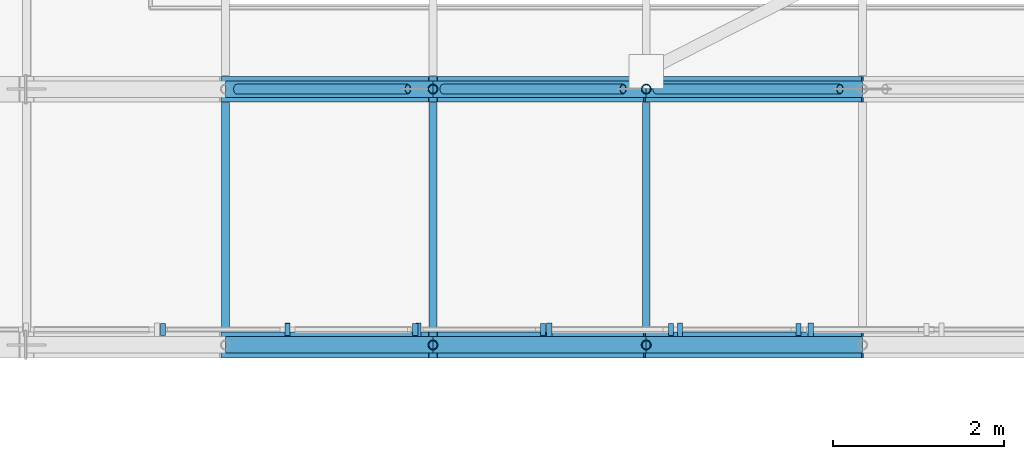
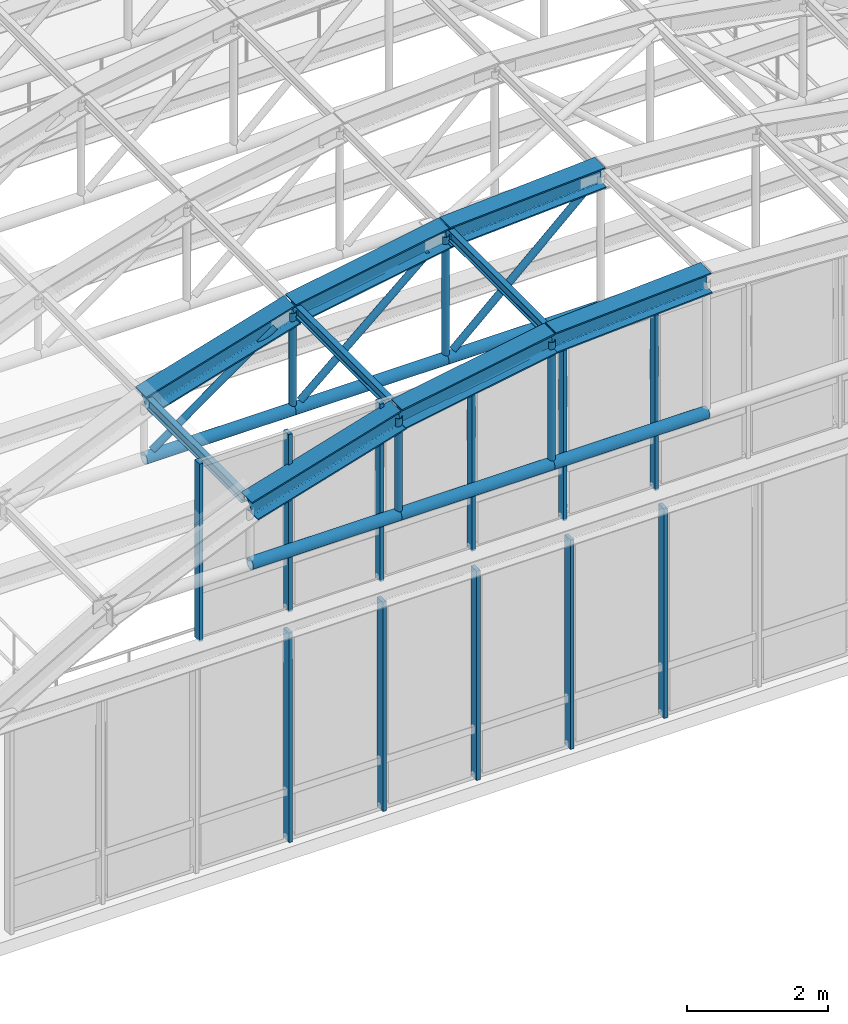
# One storey, part 51 of 148: 24 members, 9 beams, 2 elements without a shape of their own.
"""IFC4 building model written with IfcOpenShell, lengths in metres."""

from ifc_helpers import new_model, si_unit, direction, frame, origin, origin_2d, place, context, subcontext, project, spatial, rectangle, hollow_circle, i_section, extrude, material, layer, layer_set, material_profile, profile_set, type_object, element, aggregate, save


model = new_model("IFC4")

# Units and contexts
model_context = context("Model", 3, precision=1e-05, world=origin(), true_north=direction((0.0, 1.0)))
body_context = subcontext(model_context, "Body", "Model", "MODEL_VIEW")
ifc_project = project(units=[si_unit("LENGTHUNIT", "METRE"), si_unit("AREAUNIT", "SQUARE_METRE"), si_unit("VOLUMEUNIT", "CUBIC_METRE"), si_unit("PLANEANGLEUNIT", "RADIAN"), si_unit("MASSUNIT", "GRAM", prefix="KILO"), si_unit("THERMODYNAMICTEMPERATUREUNIT", "KELVIN"), si_unit("POWERUNIT", "WATT")], contexts=[model_context])

# Site, building, storey
site_placement = place(None, origin())
site = spatial("IfcSite", under=ifc_project, at=site_placement, CompositionType="ELEMENT")
building_placement = place(site_placement, origin())
building = spatial("IfcBuilding", under=site, at=building_placement, Name="Solvatero Civic Police Headquarters", CompositionType="ELEMENT")
storey_placement = place(building_placement, frame((0.0, 0.0, 5.10009765625)))
storey = spatial("IfcBuildingStorey", under=building, at=storey_placement, Name="L01", CompositionType="ELEMENT", Elevation=5.10009765625)

# Beams
ifc_material_1 = material(Name="Steel S355", Category="steel")
ifc_material_profile_1 = material_profile(ifc_material_1, i_section(OverallWidth=0.300048828125, OverallDepth=0.360107421875, WebThickness=0.012451171875, FlangeThickness=0.0224609375, FilletRadius=0.027099609375, at=origin_2d()), Name="HEB 360")
ifc_profile_set_1 = profile_set([ifc_material_profile_1], Name="Steel S355")
beam_type_1 = type_object("IfcBeamType", Name="BM-ST-HEB360", PredefinedType="BEAM", material=ifc_profile_set_1)
for number, where, z_axis, x_axis, name in (
    (1, (69.330078125, 41.5, 6.125), (0.957813056997, 0.0, 0.287391975958), (0.0, 1.0, 0.0), "VLT2 Tied-Arch Vault Top Chord F1.3"),
    (2, (71.762939453125, 41.5, 6.86474609375), (0.984749672323, 0.0, 0.173977248112), (0.0, 1.0, 0.0), "VLT2 Tied-Arch Vault Top Chord F1.4"),
):
    element("IfcBeam", number, at=place(storey_placement, frame(where, z_axis=z_axis, x_axis=x_axis)), inside=storey, type_object=beam_type_1, Name=name, PredefinedType="BEAM", context=body_context, shape_type="SweptSolid", body=[
        extrude(i_section(OverallWidth=0.300048828125, OverallDepth=0.360107421875, WebThickness=0.012451171875, FlangeThickness=0.0224609375, FilletRadius=0.027099609375, at=origin_2d()), origin(), (0.0, 0.0, 1.0), 2.5400390625),
    ])
beam_1_placement = place(storey_placement, frame((74.26416015625, 41.5, 7.311279296875), z_axis=(0.9983024287, 0.0, 0.058243118494), x_axis=(0.0, 1.0, 0.0)))
element("IfcBeam", 3, at=beam_1_placement, inside=storey, type_object=beam_type_1, Name="VLT2 Tied-Arch Vault Top Chord F1.5", PredefinedType="BEAM", context=body_context, shape_type="SweptSolid", body=[
    extrude(i_section(OverallWidth=0.300048828125, OverallDepth=0.360107421875, WebThickness=0.012451171875, FlangeThickness=0.0224609375, FilletRadius=0.027099609375, at=origin_2d()), origin(), (0.0, 0.0, 1.0), 2.540283203125),
])
for number, where, z_axis, x_axis, name in (
    (4, (69.330078125, 44.5, 6.125), (0.957813056997, 0.0, 0.287391975958), (0.0, 1.0, 0.0), "VLT2 Tied-Arch Vault Top Chord F2.3"),
    (5, (71.762939453125, 44.5, 6.86474609375), (0.984749672323, 0.0, 0.173977248112), (0.0, 1.0, 0.0), "VLT2 Tied-Arch Vault Top Chord F2.4"),
):
    element("IfcBeam", number, at=place(storey_placement, frame(where, z_axis=z_axis, x_axis=x_axis)), inside=storey, type_object=beam_type_1, Name=name, PredefinedType="BEAM", context=body_context, shape_type="SweptSolid", body=[
        extrude(i_section(OverallWidth=0.300048828125, OverallDepth=0.360107421875, WebThickness=0.012451171875, FlangeThickness=0.0224609375, FilletRadius=0.027099609375, at=origin_2d()), origin(), (0.0, 0.0, 1.0), 2.5400390625),
    ])
beam_2_placement = place(storey_placement, frame((74.26416015625, 44.5, 7.311279296875), z_axis=(0.9983024287, 0.0, 0.058243118494), x_axis=(0.0, 1.0, 0.0)))
element("IfcBeam", 6, at=beam_2_placement, inside=storey, type_object=beam_type_1, Name="VLT2 Tied-Arch Vault Top Chord F2.5", PredefinedType="BEAM", context=body_context, shape_type="SweptSolid", body=[
    extrude(i_section(OverallWidth=0.300048828125, OverallDepth=0.360107421875, WebThickness=0.012451171875, FlangeThickness=0.0224609375, FilletRadius=0.027099609375, at=origin_2d()), origin(), (0.0, 0.0, 1.0), 2.540283203125),
])
ifc_material_profile_2 = material_profile(ifc_material_1, i_section(OverallWidth=0.091064453125, OverallDepth=0.179931640625, WebThickness=0.00537109375, FlangeThickness=0.008056640625, FilletRadius=0.009033203125, at=origin_2d()), Name="IPE 180")
ifc_profile_set_2 = profile_set([ifc_material_profile_2], Name="Steel S355")
beam_type_2 = type_object("IfcBeamType", Name="BM-ST-IPE180", PredefinedType="JOIST", material=ifc_profile_set_2)
for number, where, z_axis, x_axis, name in (
    (7, (69.330078125, 41.657958984375, 6.19091796875), (0.0, 1.0, 0.0), (-1.0, 0.0, 0.0), "VLT2 Vault Roof Purlin B1.2"),
    (8, (71.762939453125, 41.657958984375, 6.927978515625), (0.0, 1.0, 0.0), (-1.0, 0.0, 0.0), "VLT2 Vault Roof Purlin B1.3"),
    (9, (74.26416015625, 41.657958984375, 7.37451171875), (0.0, 1.0, 0.0), (-1.0, 0.0, 0.0), "VLT2 Vault Roof Purlin B1.4"),
):
    element("IfcBeam", number, at=place(storey_placement, frame(where, z_axis=z_axis, x_axis=x_axis)), inside=storey, type_object=beam_type_2, Name=name, PredefinedType="JOIST", context=body_context, shape_type="SweptSolid", body=[
        extrude(i_section(OverallWidth=0.091064453125, OverallDepth=0.179931640625, WebThickness=0.00537109375, FlangeThickness=0.008056640625, FilletRadius=0.009033203125, at=origin_2d()), origin(), (0.0, 0.0, 1.0), 2.68408203125),
    ])

# Curtain wall, members
ifc_material_2 = material(Name="Anodized Bronze Aluminium", Category="aluminium")
ifc_layer_1 = layer(ifc_material_2, 0.179931640625)
ifc_layer_set_1 = layer_set([ifc_layer_1], Name="Anodized Bronze Aluminium")
curtain_wall_type_1 = type_object("IfcCurtainWallType", Name="CW-VLT-TYMP", PredefinedType="USERDEFINED", material=ifc_layer_set_1)
curtain_wall_1_placement = place(storey_placement, origin())
curtain_wall_1 = element("IfcCurtainWall", 10, at=curtain_wall_1_placement, inside=storey, type_object=curtain_wall_type_1, Name="Curtain Wall CW-R2-L01-VLT2-S", ObjectType="UNITISED", PredefinedType="USERDEFINED")
ifc_material_profile_3 = material_profile(ifc_material_2, rectangle(XDim=0.06005859375, YDim=0.139892578125, at=origin_2d()), Name="ALU MULLION 60x140")
ifc_profile_set_3 = profile_set([ifc_material_profile_3], Name="Anodized Bronze Aluminium")
member_type_1 = type_object("IfcMemberType", Name="CWM-160x65", PredefinedType="MULLION", material=ifc_profile_set_3)
member_1_placement = place(storey_placement, frame((68.60009765625, 41.679931640625, 3.97998046875), z_axis=(0.0, 0.0, 1.0), x_axis=(1.0, 0.0, 0.0)))
member_1 = element("IfcMember", 11, at=member_1_placement, type_object=member_type_1, Name="CW-R2-L01-VLT2-S Mullion 1", PredefinedType="MULLION", context=body_context, shape_type="SweptSolid", body=[
    extrude(rectangle(XDim=0.06005859375, YDim=0.139892578125, at=origin_2d()), origin(), (0.0, 0.0, 1.0), 3.06982421875),
])
member_2_placement = place(storey_placement, frame((70.05810546875, 41.679931640625, 3.97998046875), z_axis=(0.0, 0.0, 1.0), x_axis=(1.0, 0.0, 0.0)))
member_2 = element("IfcMember", 12, at=member_2_placement, type_object=member_type_1, Name="CW-R2-L01-VLT2-S Mullion 2", PredefinedType="MULLION", context=body_context, shape_type="SweptSolid", body=[
    extrude(rectangle(XDim=0.06005859375, YDim=0.139892578125, at=origin_2d()), origin(), (0.0, 0.0, 1.0), 3.06982421875),
])
member_3_placement = place(storey_placement, frame((71.556396484375, 41.679931640625, 3.97998046875), z_axis=(0.0, 0.0, 1.0), x_axis=(1.0, 0.0, 0.0)))
member_3 = element("IfcMember", 13, at=member_3_placement, type_object=member_type_1, Name="CW-R2-L01-VLT2-S Mullion 3", PredefinedType="MULLION", context=body_context, shape_type="SweptSolid", body=[
    extrude(rectangle(XDim=0.06005859375, YDim=0.139892578125, at=origin_2d()), origin(), (0.0, 0.0, 1.0), 3.06982421875),
])
member_4_placement = place(storey_placement, frame((73.054443359375, 41.679931640625, 3.97998046875), z_axis=(0.0, 0.0, 1.0), x_axis=(1.0, 0.0, 0.0)))
member_4 = element("IfcMember", 14, at=member_4_placement, type_object=member_type_1, Name="CW-R2-L01-VLT2-S Mullion 4", PredefinedType="MULLION", context=body_context, shape_type="SweptSolid", body=[
    extrude(rectangle(XDim=0.06005859375, YDim=0.139892578125, at=origin_2d()), origin(), (0.0, 0.0, 1.0), 3.06982421875),
])
member_5_placement = place(storey_placement, frame((74.552734375, 41.679931640625, 3.97998046875), z_axis=(0.0, 0.0, 1.0), x_axis=(1.0, 0.0, 0.0)))
member_5 = element("IfcMember", 15, at=member_5_placement, type_object=member_type_1, Name="CW-R2-L01-VLT2-S Mullion 5", PredefinedType="MULLION", context=body_context, shape_type="SweptSolid", body=[
    extrude(rectangle(XDim=0.06005859375, YDim=0.139892578125, at=origin_2d()), origin(), (0.0, 0.0, 1.0), 3.06982421875),
])
member_6_placement = place(storey_placement, frame((76.05078125, 41.679931640625, 3.97998046875), z_axis=(0.0, 0.0, 1.0), x_axis=(1.0, 0.0, 0.0)))
member_6 = element("IfcMember", 16, at=member_6_placement, type_object=member_type_1, Name="CW-R2-L01-VLT2-S Mullion 6", PredefinedType="MULLION", context=body_context, shape_type="SweptSolid", body=[
    extrude(rectangle(XDim=0.06005859375, YDim=0.139892578125, at=origin_2d()), origin(), (0.0, 0.0, 1.0), 3.06982421875),
])
aggregate(curtain_wall_1, [member_1, member_2, member_3, member_4, member_5, member_6])

ifc_layer_2 = layer(ifc_material_2, 0.179931640625)
ifc_layer_set_2 = layer_set([ifc_layer_2], Name="Anodized Bronze Aluminium")
curtain_wall_type_2 = type_object("IfcCurtainWallType", Name="CW-HAL-GLZ", PredefinedType="USERDEFINED", material=ifc_layer_set_2)
curtain_wall_2_placement = place(storey_placement, origin())
curtain_wall_2 = element("IfcCurtainWall", 17, at=curtain_wall_2_placement, inside=storey, type_object=curtain_wall_type_2, Name="Curtain Wall CW-R2-L01-V2-S", ObjectType="UNITISED", PredefinedType="USERDEFINED")
ifc_material_profile_4 = material_profile(ifc_material_2, rectangle(XDim=0.06005859375, YDim=0.159912109375, at=origin_2d()), Name="ALU MULLION 60x160")
ifc_profile_set_4 = profile_set([ifc_material_profile_4], Name="Anodized Bronze Aluminium")
member_type_2 = type_object("IfcMemberType", Name="CWM-180x70", PredefinedType="MULLION", material=ifc_profile_set_4)
member_7_placement = place(storey_placement, frame((70.06005859375, 41.679931640625, 0.0), z_axis=(0.0, 0.0, 1.0), x_axis=(1.0, 0.0, 0.0)))
member_7 = element("IfcMember", 18, at=member_7_placement, type_object=member_type_2, Name="CW-R2-L01-V2-S Mullion 4", PredefinedType="MULLION", context=body_context, shape_type="SweptSolid", body=[
    extrude(rectangle(XDim=0.06005859375, YDim=0.159912109375, at=origin_2d()), origin(), (0.0, 0.0, 1.0), 3.619873046875),
])
member_8_placement = place(storey_placement, frame((71.59326171875, 41.679931640625, 0.0), z_axis=(0.0, 0.0, 1.0), x_axis=(1.0, 0.0, 0.0)))
member_8 = element("IfcMember", 19, at=member_8_placement, type_object=member_type_2, Name="CW-R2-L01-V2-S Mullion 5", PredefinedType="MULLION", context=body_context, shape_type="SweptSolid", body=[
    extrude(rectangle(XDim=0.06005859375, YDim=0.159912109375, at=origin_2d()), origin(), (0.0, 0.0, 1.0), 3.619873046875),
])
member_9_placement = place(storey_placement, frame((73.126708984375, 41.679931640625, 0.0), z_axis=(0.0, 0.0, 1.0), x_axis=(1.0, 0.0, 0.0)))
member_9 = element("IfcMember", 20, at=member_9_placement, type_object=member_type_2, Name="CW-R2-L01-V2-S Mullion 6", PredefinedType="MULLION", context=body_context, shape_type="SweptSolid", body=[
    extrude(rectangle(XDim=0.06005859375, YDim=0.159912109375, at=origin_2d()), origin(), (0.0, 0.0, 1.0), 3.619873046875),
])
member_10_placement = place(storey_placement, frame((74.659912109375, 41.679931640625, 0.0), z_axis=(0.0, 0.0, 1.0), x_axis=(1.0, 0.0, 0.0)))
member_10 = element("IfcMember", 21, at=member_10_placement, type_object=member_type_2, Name="CW-R2-L01-V2-S Mullion 7", PredefinedType="MULLION", context=body_context, shape_type="SweptSolid", body=[
    extrude(rectangle(XDim=0.06005859375, YDim=0.159912109375, at=origin_2d()), origin(), (0.0, 0.0, 1.0), 3.619873046875),
])
member_11_placement = place(storey_placement, frame((76.193359375, 41.679931640625, 0.0), z_axis=(0.0, 0.0, 1.0), x_axis=(1.0, 0.0, 0.0)))
member_11 = element("IfcMember", 22, at=member_11_placement, type_object=member_type_2, Name="CW-R2-L01-V2-S Mullion 8", PredefinedType="MULLION", context=body_context, shape_type="SweptSolid", body=[
    extrude(rectangle(XDim=0.06005859375, YDim=0.159912109375, at=origin_2d()), origin(), (0.0, 0.0, 1.0), 3.619873046875),
])
aggregate(curtain_wall_2, [member_7, member_8, member_9, member_10, member_11])

# Members
ifc_material_profile_5 = material_profile(ifc_material_1, hollow_circle(Radius=0.05712890625, WallThickness=0.008056640625, at=origin_2d()), Name="CHS 114.3x8.0")
ifc_profile_set_5 = profile_set([ifc_material_profile_5], Name="Steel S355")
member_type_3 = type_object("IfcMemberType", Name="MB-HNG-CHS114", PredefinedType="STRUT", material=ifc_profile_set_5)
member_12_placement = place(storey_placement, frame((71.762939453125, 41.5, 5.17626953125), z_axis=(0.0, 0.0, 1.0), x_axis=(1.0, 0.0, 0.0)))
element("IfcMember", 23, at=member_12_placement, inside=storey, type_object=member_type_3, Name="VLT2 Vault Vertical Hanger F1.3", PredefinedType="STRUT", context=body_context, shape_type="SweptSolid", body=[
    extrude(hollow_circle(Radius=0.05712890625, WallThickness=0.008056640625, at=origin_2d()), origin(), (0.0, 0.0, 1.0), 1.647705078125),
])
member_13_placement = place(storey_placement, frame((74.26416015625, 41.5, 5.17626953125), z_axis=(0.0, 0.0, 1.0), x_axis=(1.0, 0.0, 0.0)))
element("IfcMember", 24, at=member_13_placement, inside=storey, type_object=member_type_3, Name="VLT2 Vault Vertical Hanger F1.4", PredefinedType="STRUT", context=body_context, shape_type="SweptSolid", body=[
    extrude(hollow_circle(Radius=0.05712890625, WallThickness=0.008056640625, at=origin_2d()), origin(), (0.0, 0.0, 1.0), 2.089599609375),
])
member_14_placement = place(storey_placement, frame((69.460205078125, 44.5, 5.229248046875), z_axis=(0.813733471207, 0.0, 0.581238193719), x_axis=(0.0, 1.0, 0.0)))
element("IfcMember", 25, at=member_14_placement, inside=storey, type_object=member_type_3, Name="VLT2 Vault Truss Diagonal Web F2.2", PredefinedType="STRUT", context=body_context, shape_type="SweptSolid", body=[
    extrude(hollow_circle(Radius=0.05712890625, WallThickness=0.008056640625, at=origin_2d()), origin(), (0.0, 0.0, 1.0), 2.4697265625),
])
member_15_placement = place(storey_placement, frame((71.883544921875, 44.5, 5.2412109375), z_axis=(0.753915676924, 0.0, 0.656971195783), x_axis=(0.0, 1.0, 0.0)))
element("IfcMember", 26, at=member_15_placement, inside=storey, type_object=member_type_3, Name="VLT2 Vault Truss Diagonal Web F2.3", PredefinedType="STRUT", context=body_context, shape_type="SweptSolid", body=[
    extrude(hollow_circle(Radius=0.05712890625, WallThickness=0.008056640625, at=origin_2d()), origin(), (0.0, 0.0, 1.0), 2.7978515625),
])
member_16_placement = place(storey_placement, frame((74.382080078125, 44.5, 5.244384765625), z_axis=(0.736703146359, 0.0, 0.676216292428), x_axis=(0.0, 1.0, 0.0)))
element("IfcMember", 27, at=member_16_placement, inside=storey, type_object=member_type_3, Name="VLT2 Vault Truss Diagonal Web F2.4", PredefinedType="STRUT", context=body_context, shape_type="SweptSolid", body=[
    extrude(hollow_circle(Radius=0.05712890625, WallThickness=0.008056640625, at=origin_2d()), origin(), (0.0, 0.0, 1.0), 2.92236328125),
])
member_17_placement = place(storey_placement, frame((71.762939453125, 44.5, 5.17626953125), z_axis=(0.0, 0.0, 1.0), x_axis=(1.0, 0.0, 0.0)))
element("IfcMember", 28, at=member_17_placement, inside=storey, type_object=member_type_3, Name="VLT2 Vault Vertical Hanger F2.3", PredefinedType="STRUT", context=body_context, shape_type="SweptSolid", body=[
    extrude(hollow_circle(Radius=0.05712890625, WallThickness=0.008056640625, at=origin_2d()), origin(), (0.0, 0.0, 1.0), 1.647705078125),
])
member_18_placement = place(storey_placement, frame((74.26416015625, 44.5, 5.17626953125), z_axis=(0.0, 0.0, 1.0), x_axis=(1.0, 0.0, 0.0)))
element("IfcMember", 29, at=member_18_placement, inside=storey, type_object=member_type_3, Name="VLT2 Vault Vertical Hanger F2.4", PredefinedType="STRUT", context=body_context, shape_type="SweptSolid", body=[
    extrude(hollow_circle(Radius=0.05712890625, WallThickness=0.008056640625, at=origin_2d()), origin(), (0.0, 0.0, 1.0), 2.089599609375),
])
ifc_material_profile_6 = material_profile(ifc_material_1, hollow_circle(Radius=0.096923828125, WallThickness=0.010009765625, at=origin_2d()), Name="CHS 193.7x10.0")
ifc_profile_set_6 = profile_set([ifc_material_profile_6], Name="Steel S355")
member_type_4 = type_object("IfcMemberType", Name="MB-TIE-CHS194", PredefinedType="CHORD", material=ifc_profile_set_6)
member_19_placement = place(storey_placement, frame((69.330078125, 41.5, 5.13623046875), z_axis=(1.0, 0.0, 0.0), x_axis=(0.0, 1.0, 0.0)))
element("IfcMember", 30, at=member_19_placement, inside=storey, type_object=member_type_4, Name="VLT2 Vault Horizontal Tie Chord F1.2", PredefinedType="CHORD", context=body_context, shape_type="SweptSolid", body=[
    extrude(hollow_circle(Radius=0.096923828125, WallThickness=0.010009765625, at=origin_2d()), origin(), (0.0, 0.0, 1.0), 2.432861328125),
])
member_20_placement = place(storey_placement, frame((71.762939453125, 41.5, 5.13623046875), z_axis=(1.0, 0.0, 0.0), x_axis=(0.0, 1.0, 0.0)))
element("IfcMember", 31, at=member_20_placement, inside=storey, type_object=member_type_4, Name="VLT2 Vault Horizontal Tie Chord F1.3", PredefinedType="CHORD", context=body_context, shape_type="SweptSolid", body=[
    extrude(hollow_circle(Radius=0.096923828125, WallThickness=0.010009765625, at=origin_2d()), origin(), (0.0, 0.0, 1.0), 2.501220703125),
])
member_21_placement = place(storey_placement, frame((74.26416015625, 41.5, 5.13623046875), z_axis=(1.0, 0.0, 0.0), x_axis=(0.0, 1.0, 0.0)))
element("IfcMember", 32, at=member_21_placement, inside=storey, type_object=member_type_4, Name="VLT2 Vault Horizontal Tie Chord F1.4", PredefinedType="CHORD", context=body_context, shape_type="SweptSolid", body=[
    extrude(hollow_circle(Radius=0.096923828125, WallThickness=0.010009765625, at=origin_2d()), origin(), (0.0, 0.0, 1.0), 2.535888671875),
])
member_22_placement = place(storey_placement, frame((69.330078125, 44.5, 5.13623046875), z_axis=(1.0, 0.0, 0.0), x_axis=(0.0, 1.0, 0.0)))
element("IfcMember", 33, at=member_22_placement, inside=storey, type_object=member_type_4, Name="VLT2 Vault Horizontal Tie Chord F2.2", PredefinedType="CHORD", context=body_context, shape_type="SweptSolid", body=[
    extrude(hollow_circle(Radius=0.096923828125, WallThickness=0.010009765625, at=origin_2d()), origin(), (0.0, 0.0, 1.0), 2.432861328125),
])
member_23_placement = place(storey_placement, frame((71.762939453125, 44.5, 5.13623046875), z_axis=(1.0, 0.0, 0.0), x_axis=(0.0, 1.0, 0.0)))
element("IfcMember", 34, at=member_23_placement, inside=storey, type_object=member_type_4, Name="VLT2 Vault Horizontal Tie Chord F2.3", PredefinedType="CHORD", context=body_context, shape_type="SweptSolid", body=[
    extrude(hollow_circle(Radius=0.096923828125, WallThickness=0.010009765625, at=origin_2d()), origin(), (0.0, 0.0, 1.0), 2.501220703125),
])
member_24_placement = place(storey_placement, frame((74.26416015625, 44.5, 5.13623046875), z_axis=(1.0, 0.0, 0.0), x_axis=(0.0, 1.0, 0.0)))
element("IfcMember", 35, at=member_24_placement, inside=storey, type_object=member_type_4, Name="VLT2 Vault Horizontal Tie Chord F2.4", PredefinedType="CHORD", context=body_context, shape_type="SweptSolid", body=[
    extrude(hollow_circle(Radius=0.096923828125, WallThickness=0.010009765625, at=origin_2d()), origin(), (0.0, 0.0, 1.0), 2.535888671875),
])

save(model, "model.ifc")
